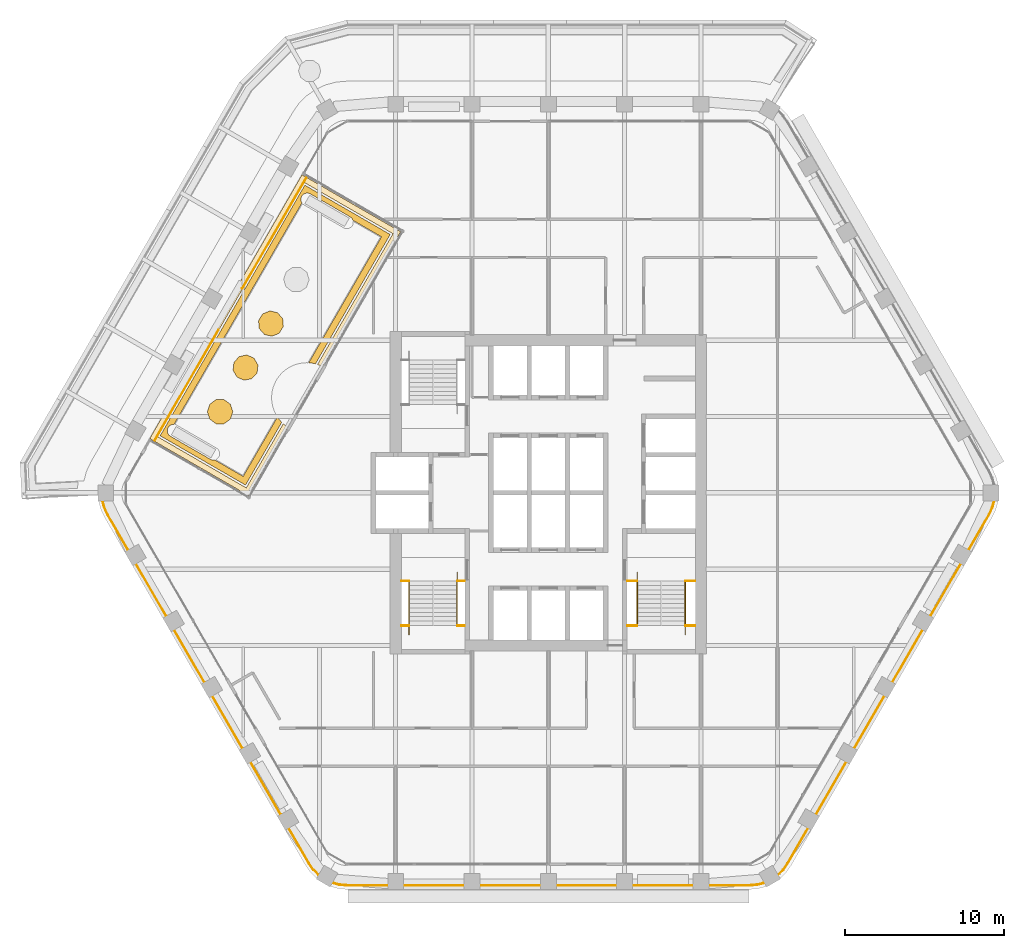
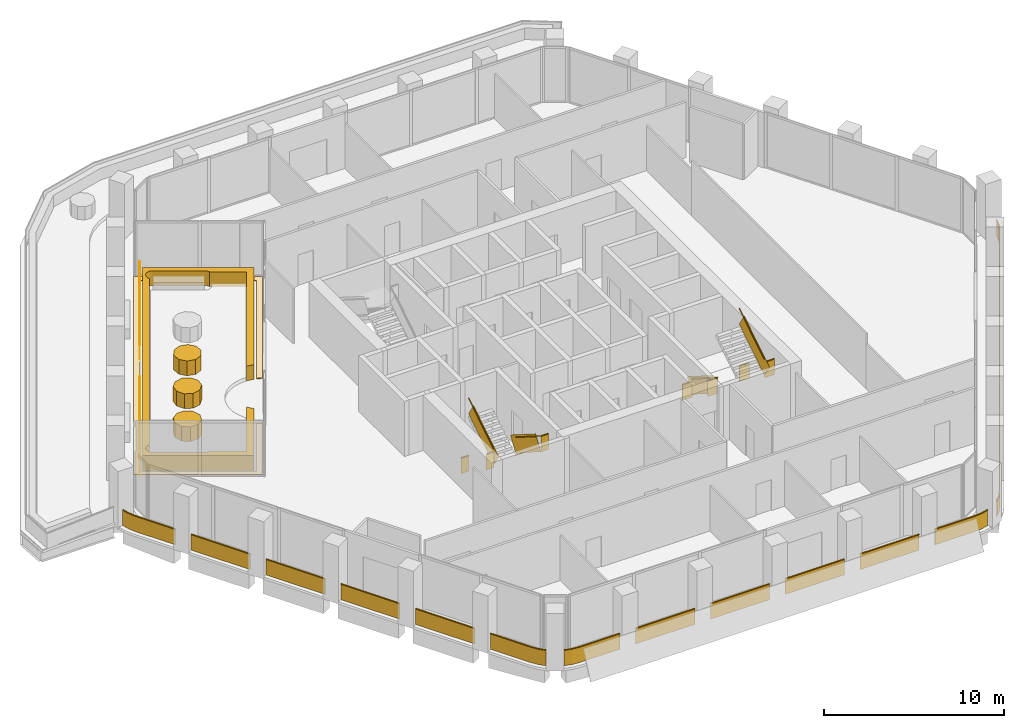
# One storey, part 17 of 18: 8 railings, 5 coverings.
"""IFC4 building model written with IfcOpenShell, lengths in metres."""

import ifcopenshell
import ifcopenshell.guid

model = None  # the IFC model being written
_history = None  # IfcOwnerHistory: only IFC2X3 demands one
_inside = {}  # id of a spatial element -> (the spatial element, [elements in it])
_under = {}  # id of a project, library or spatial element -> (it, [spatial elements below it])
_declared = {}  # id of a project -> (the project, [libraries it declares])
_typed = {}  # id of a type object -> (the type object, [elements of that type])
_made_of = {}  # id of a material, layer set ... -> (it, [elements and type objects made of it])


def new_model(schema):
    """Start an empty IFC model of exactly this schema.

    Asked for "IFC4X3", IfcOpenShell would pick the latest addendum, in which some entities
    have other attributes; the version numbers below select the first issue.
    IFC2X3 requires an IfcOwnerHistory on every rooted entity: one is made here for all.
    """
    global model, _history
    if schema == "IFC4X3":
        model = ifcopenshell.file(schema_version=(4, 3, 0, 0))
    else:
        model = ifcopenshell.file(schema=schema)
    _inside.clear()
    _under.clear()
    _declared.clear()
    _typed.clear()
    _made_of.clear()
    _history = None
    if model.schema == "IFC2X3":
        org = make("IfcOrganization", Name="unknown")
        user = make(
            "IfcPersonAndOrganization",
            ThePerson=make("IfcPerson", FamilyName="unknown"),
            TheOrganization=org,
        )
        app = make(
            "IfcApplication",
            ApplicationDeveloper=org,
            Version="unknown",
            ApplicationFullName="unknown",
            ApplicationIdentifier="unknown",
        )
        _history = make(
            "IfcOwnerHistory",
            OwningUser=user,
            OwningApplication=app,
            ChangeAction="ADDED",
            CreationDate=0,
        )
    return model


def make(cls, **values):
    """One entity of the class cls with the attributes given. An attribute that is None is left unset."""
    return model.create_entity(
        cls, **{name: value for name, value in values.items() if value is not None}
    )


def rooted(cls, **values):
    """An entity with a GlobalId (a new one), such as an element, a storey or a relation."""
    return make(cls, GlobalId=ifcopenshell.guid.new(), OwnerHistory=_history, **values)


def si_unit(unit_type, name, prefix=None):
    """IfcSIUnit, for example si_unit("LENGTHUNIT", "METRE", prefix="MILLI")."""
    return make("IfcSIUnit", UnitType=unit_type, Prefix=prefix, Name=name)


def assignment(units):
    """IfcUnitAssignment: the units of a project."""
    return None if units is None else make("IfcUnitAssignment", Units=units)


def point(xyz):
    """IfcCartesianPoint."""
    return None if xyz is None else make("IfcCartesianPoint", Coordinates=xyz)


def direction(xyz):
    """IfcDirection."""
    return None if xyz is None else make("IfcDirection", DirectionRatios=xyz)


def frame(location, z_axis=None, x_axis=None):
    """IfcAxis2Placement3D, a coordinate frame: its origin and axes. An axis left out is left unset."""
    return make(
        "IfcAxis2Placement3D",
        Location=point(location),
        Axis=direction(z_axis),
        RefDirection=direction(x_axis),
    )


def frame_2d(location, x_axis=None):
    """IfcAxis2Placement2D, a coordinate frame in the plane: its origin and x axis."""
    return make(
        "IfcAxis2Placement2D", Location=point(location), RefDirection=direction(x_axis)
    )


def origin():
    """The frame at (0, 0, 0) with its axes left unset."""
    return frame((0.0, 0.0, 0.0))


def origin_2d():
    """The frame at (0, 0) in the plane with its x axis left unset."""
    return frame_2d((0.0, 0.0))


def place(relative_to, where):
    """IfcLocalPlacement: puts the frame where relative to a parent placement (None: the world)."""
    return make(
        "IfcLocalPlacement", PlacementRelTo=relative_to, RelativePlacement=where
    )


def context(
    kind, dimensions, precision=None, world=None, true_north=None, identifier=None
):
    """IfcGeometricRepresentationContext, for example the 3D "Model" context."""
    return make(
        "IfcGeometricRepresentationContext",
        ContextIdentifier=identifier,
        ContextType=kind,
        CoordinateSpaceDimension=dimensions,
        Precision=precision,
        WorldCoordinateSystem=world,
        TrueNorth=true_north,
    )


def subcontext(parent, identifier, kind, view, scale=None):
    """IfcGeometricRepresentationSubContext, for example "Body" below "Model"."""
    return make(
        "IfcGeometricRepresentationSubContext",
        ContextIdentifier=identifier,
        ContextType=kind,
        ParentContext=parent,
        TargetScale=scale,
        TargetView=view,
    )


def project(units=None, contexts=None):
    """IfcProject with its units and contexts."""
    return rooted(
        "IfcProject",
        Name="project",
        RepresentationContexts=contexts,
        UnitsInContext=assignment(units),
    )


def spatial(cls, under=None, at=None, **own):
    """A site, building, storey or space (cls), placed at a placement, below another one or the project."""
    s = rooted(cls, ObjectPlacement=at, **own)
    if under is not None:
        _under.setdefault(under.id(), (under, []))[1].append(s)
    return s


def polyline(points):
    """IfcPolyline through the points."""
    return make("IfcPolyline", Points=[point(p) for p in points])


def profile(cls, at=None, kind="AREA", **sizes):
    """A parametric profile (cls). Its sizes go by their IFC names, for example OverallWidth=200.0."""
    return make(cls, ProfileType=kind, Position=at, **sizes)


def rectangle(**sizes):
    """IfcRectangleProfileDef."""
    return profile("IfcRectangleProfileDef", **sizes)


def outline(outer, holes=None, kind="AREA"):
    """IfcArbitraryClosedProfileDef: a profile drawn as a closed curve; with holes, ...WithVoids."""
    if holes is None:
        return make("IfcArbitraryClosedProfileDef", ProfileType=kind, OuterCurve=outer)
    return make(
        "IfcArbitraryProfileDefWithVoids",
        ProfileType=kind,
        OuterCurve=outer,
        InnerCurves=holes,
    )


def extrude(swept, where, along, depth):
    """IfcExtrudedAreaSolid: the profile swept, set in the frame where, extruded along a direction by depth."""
    return make(
        "IfcExtrudedAreaSolid",
        SweptArea=swept,
        Position=where,
        ExtrudedDirection=direction(along),
        Depth=depth,
    )


def shape(context_of_items, identifier, shape_type, items):
    """IfcShapeRepresentation: the items that make up one representation, for example the "Body"."""
    return make(
        "IfcShapeRepresentation",
        ContextOfItems=context_of_items,
        RepresentationIdentifier=identifier,
        RepresentationType=shape_type,
        Items=items,
    )


def material(Name=None, Category=None):
    """IfcMaterial."""
    return make("IfcMaterial", Name=Name, Category=Category)


def layer(
    of_material, thickness, ventilated=None, Name=None, Category=None, Priority=None
):
    """IfcMaterialLayer: one layer of a wall or slab, of a material (None: an air gap)."""
    return make(
        "IfcMaterialLayer",
        Material=of_material,
        LayerThickness=thickness,
        IsVentilated=ventilated,
        Name=Name,
        Category=Category,
        Priority=Priority,
    )


def layer_set(layers, Name=None):
    """IfcMaterialLayerSet."""
    return make("IfcMaterialLayerSet", MaterialLayers=layers, LayerSetName=Name)


def made_of(thing, what):
    """Note that an element or type object is made of a material, layer set ...; save() writes the relation."""
    if what is not None:
        _made_of.setdefault(what.id(), (what, []))[1].append(thing)
    return thing


def type_object(cls, material=None, **own):
    """A type object (cls), such as IfcWallType, which elements share."""
    return made_of(rooted(cls, **own), material)


def element(
    cls,
    number,
    at=None,
    inside=None,
    cuts=None,
    type_object=None,
    material=None,
    context=None,
    identifier="Body",
    shape_type=None,
    held_by="IfcProductDefinitionShape",
    body=None,
    shapes=None,
    **own,
):
    """One element of the class cls, such as IfcWall. Its Tag is "e" and its number.

    at: its placement. inside: the storey or other place that contains it. cuts: it is an
    opening in that element (IfcRelVoidsElement). A single representation is given by context,
    identifier, shape_type and body (its items); several are given by shapes. held_by: the class
    of the entity that holds the representations. save() writes the other relations.
    """
    e = rooted(cls, Tag="e%d" % number, ObjectPlacement=at, **own)
    if body is not None:
        shapes = [shape(context, identifier, shape_type, body)]
    if shapes is not None:
        e.Representation = make(held_by, Representations=shapes)
    if inside is not None:
        _inside.setdefault(inside.id(), (inside, []))[1].append(e)
    if cuts is not None:
        rooted(
            "IfcRelVoidsElement", RelatingBuildingElement=cuts, RelatedOpeningElement=e
        )
    if type_object is not None:
        _typed.setdefault(type_object.id(), (type_object, []))[1].append(e)
    return made_of(e, material)


def aggregate(whole, parts):
    """IfcRelAggregates: a whole, such as a stair, and the parts it consists of."""
    return rooted("IfcRelAggregates", RelatingObject=whole, RelatedObjects=parts)


def save(model, path):
    """Write the relations noted so far, then the file.

    IfcRelAggregates (storeys below a building ...), IfcRelContainedInSpatialStructure (elements
    in a storey), IfcRelDefinesByType, IfcRelAssociatesMaterial and IfcRelDeclares: one each for
    every whole, place, type object, material and project.
    """
    for whole, parts in _under.values():
        aggregate(whole, parts)
    for where, things in _inside.values():
        rooted(
            "IfcRelContainedInSpatialStructure",
            RelatedElements=things,
            RelatingStructure=where,
        )
    for kind, things in _typed.values():
        rooted("IfcRelDefinesByType", RelatedObjects=things, RelatingType=kind)
    for what, things in _made_of.values():
        rooted("IfcRelAssociatesMaterial", RelatedObjects=things, RelatingMaterial=what)
    for by, libraries in _declared.values():
        rooted("IfcRelDeclares", RelatingContext=by, RelatedDefinitions=libraries)
    model.write(path)


model = new_model("IFC4")

# Units and contexts
model_context = context("Model", 3, precision=1e-05, world=origin(), true_north=direction((0.0, 1.0)))
body_context = subcontext(model_context, "Body", "Model", "MODEL_VIEW")
ifc_project = project(units=[si_unit("LENGTHUNIT", "METRE"), si_unit("AREAUNIT", "SQUARE_METRE"), si_unit("VOLUMEUNIT", "CUBIC_METRE"), si_unit("PLANEANGLEUNIT", "RADIAN"), si_unit("MASSUNIT", "GRAM", prefix="KILO")], contexts=[model_context])

# Site, building, storey
site_placement = place(None, origin())
site = spatial("IfcSite", under=ifc_project, at=site_placement, CompositionType="ELEMENT")
building_placement = place(site_placement, origin())
building = spatial("IfcBuilding", under=site, at=building_placement, Name="Kolab Exchange Tower", CompositionType="ELEMENT")
storey_placement = place(building_placement, frame((0.0, 0.0, 150.5)))
storey = spatial("IfcBuildingStorey", under=building, at=storey_placement, Name="L30", CompositionType="ELEMENT", Elevation=150.5)

# Coverings
ifc_material_1 = material(Name="Flowering shrub planting", Category="soil")
ifc_layer_1 = layer(ifc_material_1, 1.0)
ifc_layer_set_1 = layer_set([ifc_layer_1], Name="Flowering shrub planting")
covering_type_1 = type_object("IfcCoveringType", Name="FLOWERING SHRUB PLANTING", PredefinedType="USERDEFINED", material=ifc_layer_set_1)
covering_1_placement = place(storey_placement, frame((0.0, 0.0, 0.25)))
element("IfcCovering", 1, at=covering_1_placement, inside=storey, type_object=covering_type_1, Name="Flowering shrub", ObjectType="PLANTING", PredefinedType="USERDEFINED", context=body_context, shape_type="SweptSolid", body=[
    extrude(outline(polyline([(-19.848876953125, 5.105224609375), (-20.001708984375, 5.575439453125), (-20.401611328125, 5.8662109375), (-20.89599609375, 5.8662109375), (-21.296142578125, 5.575439453125), (-21.44873046875, 5.105224609375), (-21.296142578125, 4.635009765625), (-20.89599609375, 4.344482421875), (-20.401611328125, 4.344482421875), (-20.001708984375, 4.635009765625), (-19.848876953125, 5.105224609375)])), origin(), (0.0, 0.0, 1.0), 1.0),
])
covering_2_placement = place(storey_placement, frame((0.0, 0.0, 0.25)))
element("IfcCovering", 2, at=covering_2_placement, inside=storey, type_object=covering_type_1, Name="Flowering shrub", ObjectType="PLANTING", PredefinedType="USERDEFINED", context=body_context, shape_type="SweptSolid", body=[
    extrude(outline(polyline([(-18.2646484375, 8.035400390625), (-18.5078125, 8.4658203125), (-18.957763671875, 8.671142578125), (-19.442138671875, 8.572998046875), (-19.776611328125, 8.208740234375), (-19.832763671875, 7.717529296875), (-19.589599609375, 7.287109375), (-19.139892578125, 7.081787109375), (-18.6552734375, 7.179931640625), (-18.321044921875, 7.544189453125), (-18.2646484375, 8.035400390625)])), origin(), (0.0, 0.0, 1.0), 1.0),
])
covering_3_placement = place(storey_placement, frame((0.0, 0.0, 0.25)))
element("IfcCovering", 3, at=covering_3_placement, inside=storey, type_object=covering_type_1, Name="Flowering shrub", ObjectType="PLANTING", PredefinedType="USERDEFINED", context=body_context, shape_type="SweptSolid", body=[
    extrude(outline(polyline([(-16.7119140625, 10.959228515625), (-17.035888671875, 11.332763671875), (-17.517333984375, 11.44482421875), (-17.972900390625, 11.252197265625), (-18.22802734375, 10.828857421875), (-18.185546875, 10.336181640625), (-17.86181640625, 9.96240234375), (-17.380126953125, 9.8505859375), (-16.9248046875, 10.043212890625), (-16.669677734375, 10.466552734375), (-16.7119140625, 10.959228515625)])), origin(), (0.0, 0.0, 1.0), 1.0),
])

# Railings
ifc_material_2 = material(Name="Stainless steel 316", Category="steel")
railing_type_1 = type_object("IfcRailingType", Name="GUARD 1100", PredefinedType="GUARDRAIL", material=ifc_material_2)
railing_1_placement = place(storey_placement, frame((-9.25, -5.550048828125, 0.0)))
element("IfcRailing", 4, at=railing_1_placement, inside=storey, type_object=railing_type_1, Name="Guard ST3", PredefinedType="GUARDRAIL", context=body_context, shape_type="SweptSolid", body=[
    extrude(rectangle(XDim=0.05, YDim=0.05, at=origin_2d()), frame((0.0, 0.0, 1.0751953125), z_axis=(1.0, 0.0, 0.0), x_axis=(0.0, 1.0, 0.0)), (0.0, 0.0, 1.0), 0.489990234375),
    extrude(rectangle(XDim=0.012, YDim=1.05009765625, at=frame_2d((0.0, 0.525146484375))), frame((0.0, 0.0, 0.0), z_axis=(1.0, 0.0, 0.0), x_axis=(0.0, 1.0, 0.0)), (0.0, 0.0, 1.0), 0.489990234375),
    extrude(rectangle(XDim=0.05, YDim=0.05, at=origin_2d()), frame((3.510009765625, 0.0, 1.0751953125), z_axis=(1.0, 0.0, 0.0), x_axis=(0.0, 1.0, 0.0)), (0.0, 0.0, 1.0), 0.489990234375),
    extrude(rectangle(XDim=0.012, YDim=1.05009765625, at=frame_2d((0.0, 0.525146484375))), frame((3.510009765625, 0.0, 0.0), z_axis=(1.0, 0.0, 0.0), x_axis=(0.0, 1.0, 0.0)), (0.0, 0.0, 1.0), 0.489990234375),
    extrude(rectangle(XDim=0.05, YDim=0.05, at=origin_2d()), frame((0.0, -2.800048828125, 3.025146484375), z_axis=(1.0, 0.0, 0.0), x_axis=(0.0, 1.0, 0.0)), (0.0, 0.0, 1.0), 0.489990234375),
    extrude(rectangle(XDim=0.012, YDim=1.05009765625, at=frame_2d((0.0, 0.525146484375))), frame((0.0, -2.800048828125, 1.949951171875), z_axis=(1.0, 0.0, 0.0), x_axis=(0.0, 1.0, 0.0)), (0.0, 0.0, 1.0), 0.489990234375),
    extrude(rectangle(XDim=0.05, YDim=0.05, at=origin_2d()), frame((3.510009765625, -2.800048828125, 3.025146484375), z_axis=(1.0, 0.0, 0.0), x_axis=(0.0, 1.0, 0.0)), (0.0, 0.0, 1.0), 0.489990234375),
    extrude(rectangle(XDim=0.012, YDim=1.05009765625, at=frame_2d((0.0, 0.525146484375))), frame((3.510009765625, -2.800048828125, 1.949951171875), z_axis=(1.0, 0.0, 0.0), x_axis=(0.0, 1.0, 0.0)), (0.0, 0.0, 1.0), 0.489990234375),
])
railing_2_placement = place(storey_placement, frame((-5.739990234375, -5.550048828125, 0.17724609375)))
element("IfcRailing", 5, at=railing_2_placement, inside=storey, type_object=railing_type_1, Name="Handrail guard ST3", PredefinedType="GUARDRAIL", context=body_context, shape_type="SweptSolid", body=[
    extrude(rectangle(XDim=0.05, YDim=0.05, at=origin_2d()), frame((0.0, 0.0, 1.0751953125), z_axis=(0.0, -0.844908973607, 0.534910110503), x_axis=(1.0, 0.0, 0.0)), (0.0, 0.0, 1.0), 3.31396484375),
    extrude(rectangle(XDim=0.012, YDim=1.05009765625, at=frame_2d((0.0, 0.525146484375))), frame((0.0, 0.0, 0.0), z_axis=(0.0, -0.844908973607, 0.534910110503), x_axis=(1.0, 0.0, 0.0)), (0.0, 0.0, 1.0), 3.31396484375),
    extrude(rectangle(XDim=0.05, YDim=0.05, at=origin_2d()), frame((-3.02001953125, -2.800048828125, 3.025146484375), z_axis=(0.0, 0.844908973607, 0.534910110503), x_axis=(-1.0, 0.0, 0.0)), (0.0, 0.0, 1.0), 3.31396484375),
    extrude(rectangle(XDim=0.012, YDim=1.05009765625, at=frame_2d((0.0, 0.525146484375))), frame((-3.02001953125, -2.800048828125, 1.949951171875), z_axis=(0.0, 0.844908973607, 0.534910110503), x_axis=(-1.0, 0.0, 0.0)), (0.0, 0.0, 1.0), 3.31396484375),
])
railing_3_placement = place(storey_placement, frame((4.949951171875, -5.550048828125, 0.0)))
element("IfcRailing", 6, at=railing_3_placement, inside=storey, type_object=railing_type_1, Name="Guard ST2", PredefinedType="GUARDRAIL", context=body_context, shape_type="SweptSolid", body=[
    extrude(rectangle(XDim=0.05, YDim=0.05, at=origin_2d()), frame((0.0, 0.0, 1.0751953125), z_axis=(1.0, 0.0, 0.0), x_axis=(0.0, 1.0, 0.0)), (0.0, 0.0, 1.0), 0.64013671875),
    extrude(rectangle(XDim=0.012, YDim=1.05009765625, at=frame_2d((0.0, 0.525146484375))), frame((0.0, 0.0, 0.0), z_axis=(1.0, 0.0, 0.0), x_axis=(0.0, 1.0, 0.0)), (0.0, 0.0, 1.0), 0.64013671875),
    extrude(rectangle(XDim=0.05, YDim=0.05, at=origin_2d()), frame((3.66015625, 0.0, 1.0751953125), z_axis=(1.0, 0.0, 0.0), x_axis=(0.0, 1.0, 0.0)), (0.0, 0.0, 1.0), 0.639892578125),
    extrude(rectangle(XDim=0.012, YDim=1.05009765625, at=frame_2d((0.0, 0.525146484375))), frame((3.66015625, 0.0, 0.0), z_axis=(1.0, 0.0, 0.0), x_axis=(0.0, 1.0, 0.0)), (0.0, 0.0, 1.0), 0.639892578125),
    extrude(rectangle(XDim=0.05, YDim=0.05, at=origin_2d()), frame((0.0, -2.800048828125, 3.025146484375), z_axis=(1.0, 0.0, 0.0), x_axis=(0.0, 1.0, 0.0)), (0.0, 0.0, 1.0), 0.64013671875),
    extrude(rectangle(XDim=0.012, YDim=1.05009765625, at=frame_2d((0.0, 0.525146484375))), frame((0.0, -2.800048828125, 1.949951171875), z_axis=(1.0, 0.0, 0.0), x_axis=(0.0, 1.0, 0.0)), (0.0, 0.0, 1.0), 0.64013671875),
    extrude(rectangle(XDim=0.05, YDim=0.05, at=origin_2d()), frame((3.66015625, -2.800048828125, 3.025146484375), z_axis=(1.0, 0.0, 0.0), x_axis=(0.0, 1.0, 0.0)), (0.0, 0.0, 1.0), 0.639892578125),
    extrude(rectangle(XDim=0.012, YDim=1.05009765625, at=frame_2d((0.0, 0.525146484375))), frame((3.66015625, -2.800048828125, 1.949951171875), z_axis=(1.0, 0.0, 0.0), x_axis=(0.0, 1.0, 0.0)), (0.0, 0.0, 1.0), 0.639892578125),
])
railing_4_placement = place(storey_placement, frame((5.590087890625, -5.550048828125, 0.17724609375)))
element("IfcRailing", 7, at=railing_4_placement, inside=storey, type_object=railing_type_1, Name="Handrail guard ST2", PredefinedType="GUARDRAIL", context=body_context, shape_type="SweptSolid", body=[
    extrude(rectangle(XDim=0.05, YDim=0.05, at=origin_2d()), frame((0.0, 0.0, 1.0751953125), z_axis=(0.0, -0.844908973607, 0.534910110503), x_axis=(1.0, 0.0, 0.0)), (0.0, 0.0, 1.0), 3.31396484375),
    extrude(rectangle(XDim=0.012, YDim=1.05009765625, at=frame_2d((0.0, 0.525146484375))), frame((0.0, 0.0, 0.0), z_axis=(0.0, -0.844908973607, 0.534910110503), x_axis=(1.0, 0.0, 0.0)), (0.0, 0.0, 1.0), 3.31396484375),
    extrude(rectangle(XDim=0.05, YDim=0.05, at=origin_2d()), frame((3.02001953125, -2.800048828125, 3.025146484375), z_axis=(0.0, 0.844908973607, 0.534910110503), x_axis=(-1.0, 0.0, 0.0)), (0.0, 0.0, 1.0), 3.31396484375),
    extrude(rectangle(XDim=0.012, YDim=1.05009765625, at=frame_2d((0.0, 0.525146484375))), frame((3.02001953125, -2.800048828125, 1.949951171875), z_axis=(0.0, 0.844908973607, 0.534910110503), x_axis=(-1.0, 0.0, 0.0)), (0.0, 0.0, 1.0), 3.31396484375),
])
ifc_material_3 = material(Name="Steel S235", Category="steel")
railing_type_2 = type_object("IfcRailingType", Name="GUARD 1100 GLASS BALUSTRADE AND STEEL TOP RAIL", PredefinedType="GUARDRAIL", material=ifc_material_3)
railing_5_placement = place(storey_placement, frame((14.4501953125, -24.033447265625, 0.0)))
element("IfcRailing", 8, at=railing_5_placement, inside=storey, type_object=railing_type_2, Name="Guard", PredefinedType="GUARDRAIL", context=body_context, shape_type="SweptSolid", body=[
    extrude(rectangle(XDim=0.05, YDim=0.05, at=origin_2d()), frame((0.0, 0.0, 1.0751953125), z_axis=(0.70737286085, 0.706840601361, 0.0), x_axis=(-0.706840601361, 0.70737286085, 0.0)), (0.0, 0.0, 1.0), 0.458740234375),
    extrude(rectangle(XDim=0.012, YDim=1.05009765625, at=frame_2d((0.0, 0.525146484375))), frame((0.0, 0.0, 0.0), z_axis=(0.70737286085, 0.706840601361, 0.0), x_axis=(-0.706840601361, 0.70737286085, 0.0)), (0.0, 0.0, 1.0), 0.458740234375),
    extrude(rectangle(XDim=0.05, YDim=0.05, at=origin_2d()), frame((0.324462890625, 0.32421875, 1.0751953125), z_axis=(0.573599091554, 0.819136180478, 0.0), x_axis=(-0.819136180478, 0.573599091554, 0.0)), (0.0, 0.0, 1.0), 0.479248046875),
    extrude(rectangle(XDim=0.012, YDim=1.05009765625, at=frame_2d((0.0, 0.525146484375))), frame((0.324462890625, 0.32421875, 0.0), z_axis=(0.573599091554, 0.819136180478, 0.0), x_axis=(-0.819136180478, 0.573599091554, 0.0)), (0.0, 0.0, 1.0), 0.479248046875),
    extrude(rectangle(XDim=0.05, YDim=0.05, at=origin_2d()), frame((0.599365234375, 0.716796875, 1.0751953125), z_axis=(0.499952873616, 0.866052610505, 0.0), x_axis=(-0.866052610505, 0.499952873616, 0.0)), (0.0, 0.0, 1.0), 2.568115234375),
    extrude(rectangle(XDim=0.012, YDim=1.05009765625, at=frame_2d((0.0, 0.525146484375))), frame((0.599365234375, 0.716796875, 0.0), z_axis=(0.499952873616, 0.866052610505, 0.0), x_axis=(-0.866052610505, 0.499952873616, 0.0)), (0.0, 0.0, 1.0), 2.568115234375),
    extrude(rectangle(XDim=0.05, YDim=0.05, at=origin_2d()), frame((2.38330078125, 3.806884765625, 1.0751953125), z_axis=(0.499994975061, 0.866028304915, 0.0), x_axis=(-0.866028304915, 0.499994975061, 0.0)), (0.0, 0.0, 1.0), 3.7998046875),
    extrude(rectangle(XDim=0.012, YDim=1.05009765625, at=frame_2d((0.0, 0.525146484375))), frame((2.38330078125, 3.806884765625, 0.0), z_axis=(0.499994975061, 0.866028304915, 0.0), x_axis=(-0.866028304915, 0.499994975061, 0.0)), (0.0, 0.0, 1.0), 3.7998046875),
    extrude(rectangle(XDim=0.05, YDim=0.05, at=origin_2d()), frame((4.783203125, 7.9638671875, 1.0751953125), z_axis=(0.500043160704, 0.866000483506, 0.0), x_axis=(-0.866000483506, 0.500043160704, 0.0)), (0.0, 0.0, 1.0), 3.800048828125),
    extrude(rectangle(XDim=0.012, YDim=1.05009765625, at=frame_2d((0.0, 0.525146484375))), frame((4.783203125, 7.9638671875, 0.0), z_axis=(0.500043160704, 0.866000483506, 0.0), x_axis=(-0.866000483506, 0.500043160704, 0.0)), (0.0, 0.0, 1.0), 3.800048828125),
    extrude(rectangle(XDim=0.05, YDim=0.05, at=origin_2d()), frame((7.183349609375, 12.12060546875, 1.0751953125), z_axis=(0.499967155389, 0.866044365799, 0.0), x_axis=(-0.866044365799, 0.499967155389, 0.0)), (0.0, 0.0, 1.0), 3.800048828125),
    extrude(rectangle(XDim=0.012, YDim=1.05009765625, at=frame_2d((0.0, 0.525146484375))), frame((7.183349609375, 12.12060546875, 0.0), z_axis=(0.499967155389, 0.866044365799, 0.0), x_axis=(-0.866044365799, 0.499967155389, 0.0)), (0.0, 0.0, 1.0), 3.800048828125),
    extrude(rectangle(XDim=0.05, YDim=0.05, at=origin_2d()), frame((9.583251953125, 16.277587890625, 1.0751953125), z_axis=(0.500015340139, 0.86601654697, 0.0), x_axis=(-0.86601654697, 0.500015340139, 0.0)), (0.0, 0.0, 1.0), 3.80029296875),
    extrude(rectangle(XDim=0.012, YDim=1.05009765625, at=frame_2d((0.0, 0.525146484375))), frame((9.583251953125, 16.277587890625, 0.0), z_axis=(0.500015340139, 0.86601654697, 0.0), x_axis=(-0.86601654697, 0.500015340139, 0.0)), (0.0, 0.0, 1.0), 3.80029296875),
    extrude(rectangle(XDim=0.05, YDim=0.05, at=origin_2d()), frame((11.9833984375, 20.4345703125, 1.0751953125), z_axis=(0.499994038704, 0.866028845513, 0.0), x_axis=(-0.866028845513, 0.499994038704, 0.0)), (0.0, 0.0, 1.0), 2.56787109375),
    extrude(rectangle(XDim=0.012, YDim=1.05009765625, at=frame_2d((0.0, 0.525146484375))), frame((11.9833984375, 20.4345703125, 0.0), z_axis=(0.499994038704, 0.866028845513, 0.0), x_axis=(-0.866028845513, 0.499994038704, 0.0)), (0.0, 0.0, 1.0), 2.56787109375),
    extrude(rectangle(XDim=0.05, YDim=0.05, at=origin_2d()), frame((13.267333984375, 22.658447265625, 1.0751953125), z_axis=(0.422801802984, 0.906222177721, 0.0), x_axis=(-0.906222177721, 0.422801802984, 0.0)), (0.0, 0.0, 1.0), 0.479248046875),
    extrude(rectangle(XDim=0.012, YDim=1.05009765625, at=frame_2d((0.0, 0.525146484375))), frame((13.267333984375, 22.658447265625, 0.0), z_axis=(0.422801802984, 0.906222177721, 0.0), x_axis=(-0.906222177721, 0.422801802984, 0.0)), (0.0, 0.0, 1.0), 0.479248046875),
    extrude(rectangle(XDim=0.05, YDim=0.05, at=origin_2d()), frame((13.469970703125, 23.0927734375, 1.0751953125), z_axis=(0.25865627591, 0.965969425465, 0.0), x_axis=(-0.965969425465, 0.25865627591, 0.0)), (0.0, 0.0, 1.0), 0.458740234375),
    extrude(rectangle(XDim=0.012, YDim=1.05009765625, at=frame_2d((0.0, 0.525146484375))), frame((13.469970703125, 23.0927734375, 0.0), z_axis=(0.25865627591, 0.965969425465, 0.0), x_axis=(-0.965969425465, 0.25865627591, 0.0)), (0.0, 0.0, 1.0), 0.458740234375),
])
railing_6_placement = place(storey_placement, frame((-13.588623046875, -24.531005859375, 0.0)))
element("IfcRailing", 9, at=railing_6_placement, inside=storey, type_object=railing_type_2, Name="Guard", PredefinedType="GUARDRAIL", context=body_context, shape_type="SweptSolid", body=[
    extrude(rectangle(XDim=0.05, YDim=0.05, at=origin_2d()), frame((0.0, 0.0, 1.0751953125), z_axis=(0.965969425465, -0.25865627591, 0.0), x_axis=(0.25865627591, 0.965969425465, 0.0)), (0.0, 0.0, 1.0), 0.458740234375),
    extrude(rectangle(XDim=0.012, YDim=1.05009765625, at=frame_2d((0.0, 0.525146484375))), frame((0.0, 0.0, 0.0), z_axis=(0.965969425465, -0.25865627591, 0.0), x_axis=(0.25865627591, 0.965969425465, 0.0)), (0.0, 0.0, 1.0), 0.458740234375),
    extrude(rectangle(XDim=0.05, YDim=0.05, at=origin_2d()), frame((0.443115234375, -0.11865234375, 1.0751953125), z_axis=(0.996156034798, -0.087596542937, 0.0), x_axis=(0.087596542937, 0.996156034798, 0.0)), (0.0, 0.0, 1.0), 0.4794921875),
    extrude(rectangle(XDim=0.012, YDim=1.05009765625, at=frame_2d((0.0, 0.525146484375))), frame((0.443115234375, -0.11865234375, 0.0), z_axis=(0.996156034798, -0.087596542937, 0.0), x_axis=(0.087596542937, 0.996156034798, 0.0)), (0.0, 0.0, 1.0), 0.4794921875),
    extrude(rectangle(XDim=0.05, YDim=0.05, at=origin_2d()), frame((0.920654296875, -0.16064453125, 1.0751953125), z_axis=(1.0, 0.0, 0.0), x_axis=(0.0, 1.0, 0.0)), (0.0, 0.0, 1.0), 2.56787109375),
    extrude(rectangle(XDim=0.012, YDim=1.05009765625, at=frame_2d((0.0, 0.525146484375))), frame((0.920654296875, -0.16064453125, 0.0), z_axis=(1.0, 0.0, 0.0), x_axis=(0.0, 1.0, 0.0)), (0.0, 0.0, 1.0), 2.56787109375),
    extrude(rectangle(XDim=0.05, YDim=0.05, at=origin_2d()), frame((4.488525390625, -0.16064453125, 1.0751953125), z_axis=(1.0, 0.0, 0.0), x_axis=(0.0, 1.0, 0.0)), (0.0, 0.0, 1.0), 3.800048828125),
    extrude(rectangle(XDim=0.012, YDim=1.05009765625, at=frame_2d((0.0, 0.525146484375))), frame((4.488525390625, -0.16064453125, 0.0), z_axis=(1.0, 0.0, 0.0), x_axis=(0.0, 1.0, 0.0)), (0.0, 0.0, 1.0), 3.800048828125),
    extrude(rectangle(XDim=0.05, YDim=0.05, at=origin_2d()), frame((9.28857421875, -0.16064453125, 1.0751953125), z_axis=(1.0, 0.0, 0.0), x_axis=(0.0, 1.0, 0.0)), (0.0, 0.0, 1.0), 3.800048828125),
    extrude(rectangle(XDim=0.012, YDim=1.05009765625, at=frame_2d((0.0, 0.525146484375))), frame((9.28857421875, -0.16064453125, 0.0), z_axis=(1.0, 0.0, 0.0), x_axis=(0.0, 1.0, 0.0)), (0.0, 0.0, 1.0), 3.800048828125),
    extrude(rectangle(XDim=0.05, YDim=0.05, at=origin_2d()), frame((14.088623046875, -0.16064453125, 1.0751953125), z_axis=(1.0, 0.0, 0.0), x_axis=(0.0, 1.0, 0.0)), (0.0, 0.0, 1.0), 3.800048828125),
    extrude(rectangle(XDim=0.012, YDim=1.05009765625, at=frame_2d((0.0, 0.525146484375))), frame((14.088623046875, -0.16064453125, 0.0), z_axis=(1.0, 0.0, 0.0), x_axis=(0.0, 1.0, 0.0)), (0.0, 0.0, 1.0), 3.800048828125),
    extrude(rectangle(XDim=0.05, YDim=0.05, at=origin_2d()), frame((18.888671875, -0.16064453125, 1.0751953125), z_axis=(1.0, 0.0, 0.0), x_axis=(0.0, 1.0, 0.0)), (0.0, 0.0, 1.0), 3.800048828125),
    extrude(rectangle(XDim=0.012, YDim=1.05009765625, at=frame_2d((0.0, 0.525146484375))), frame((18.888671875, -0.16064453125, 0.0), z_axis=(1.0, 0.0, 0.0), x_axis=(0.0, 1.0, 0.0)), (0.0, 0.0, 1.0), 3.800048828125),
    extrude(rectangle(XDim=0.05, YDim=0.05, at=origin_2d()), frame((23.688720703125, -0.16064453125, 1.0751953125), z_axis=(1.0, 0.0, 0.0), x_axis=(0.0, 1.0, 0.0)), (0.0, 0.0, 1.0), 2.56787109375),
    extrude(rectangle(XDim=0.012, YDim=1.05009765625, at=frame_2d((0.0, 0.525146484375))), frame((23.688720703125, -0.16064453125, 0.0), z_axis=(1.0, 0.0, 0.0), x_axis=(0.0, 1.0, 0.0)), (0.0, 0.0, 1.0), 2.56787109375),
    extrude(rectangle(XDim=0.05, YDim=0.05, at=origin_2d()), frame((26.256591796875, -0.16064453125, 1.0751953125), z_axis=(0.996156034798, 0.087596542937, 0.0), x_axis=(-0.087596542937, 0.996156034798, 0.0)), (0.0, 0.0, 1.0), 0.4794921875),
    extrude(rectangle(XDim=0.012, YDim=1.05009765625, at=frame_2d((0.0, 0.525146484375))), frame((26.256591796875, -0.16064453125, 0.0), z_axis=(0.996156034798, 0.087596542937, 0.0), x_axis=(-0.087596542937, 0.996156034798, 0.0)), (0.0, 0.0, 1.0), 0.4794921875),
    extrude(rectangle(XDim=0.05, YDim=0.05, at=origin_2d()), frame((26.734130859375, -0.11865234375, 1.0751953125), z_axis=(0.965969425465, 0.25865627591, 0.0), x_axis=(-0.25865627591, 0.965969425465, 0.0)), (0.0, 0.0, 1.0), 0.458740234375),
    extrude(rectangle(XDim=0.012, YDim=1.05009765625, at=frame_2d((0.0, 0.525146484375))), frame((26.734130859375, -0.11865234375, 0.0), z_axis=(0.965969425465, 0.25865627591, 0.0), x_axis=(-0.25865627591, 0.965969425465, 0.0)), (0.0, 0.0, 1.0), 0.458740234375),
])
railing_7_placement = place(storey_placement, frame((-28.038818359375, -0.49755859375, 0.0)))
element("IfcRailing", 10, at=railing_7_placement, inside=storey, type_object=railing_type_2, Name="Guard", PredefinedType="GUARDRAIL", context=body_context, shape_type="SweptSolid", body=[
    extrude(rectangle(XDim=0.05, YDim=0.05, at=origin_2d()), frame((0.0, 0.0, 1.0751953125), z_axis=(0.25865627591, -0.965969425465, 0.0), x_axis=(0.965969425465, 0.25865627591, 0.0)), (0.0, 0.0, 1.0), 0.458740234375),
    extrude(rectangle(XDim=0.012, YDim=1.05009765625, at=frame_2d((0.0, 0.525146484375))), frame((0.0, 0.0, 0.0), z_axis=(0.25865627591, -0.965969425465, 0.0), x_axis=(0.965969425465, 0.25865627591, 0.0)), (0.0, 0.0, 1.0), 0.458740234375),
    extrude(rectangle(XDim=0.05, YDim=0.05, at=origin_2d()), frame((0.11865234375, -0.443115234375, 1.0751953125), z_axis=(0.422801802984, -0.906222177721, 0.0), x_axis=(0.906222177721, 0.422801802984, 0.0)), (0.0, 0.0, 1.0), 0.479248046875),
    extrude(rectangle(XDim=0.012, YDim=1.05009765625, at=frame_2d((0.0, 0.525146484375))), frame((0.11865234375, -0.443115234375, 0.0), z_axis=(0.422801802984, -0.906222177721, 0.0), x_axis=(0.906222177721, 0.422801802984, 0.0)), (0.0, 0.0, 1.0), 0.479248046875),
    extrude(rectangle(XDim=0.05, YDim=0.05, at=origin_2d()), frame((0.3212890625, -0.87744140625, 1.0751953125), z_axis=(0.499994038704, -0.866028845513, 0.0), x_axis=(0.866028845513, 0.499994038704, 0.0)), (0.0, 0.0, 1.0), 2.56787109375),
    extrude(rectangle(XDim=0.012, YDim=1.05009765625, at=frame_2d((0.0, 0.525146484375))), frame((0.3212890625, -0.87744140625, 0.0), z_axis=(0.499994038704, -0.866028845513, 0.0), x_axis=(0.866028845513, 0.499994038704, 0.0)), (0.0, 0.0, 1.0), 2.56787109375),
    extrude(rectangle(XDim=0.05, YDim=0.05, at=origin_2d()), frame((2.105224609375, -3.96728515625, 1.0751953125), z_axis=(0.500015340139, -0.86601654697, 0.0), x_axis=(0.86601654697, 0.500015340139, 0.0)), (0.0, 0.0, 1.0), 3.80029296875),
    extrude(rectangle(XDim=0.012, YDim=1.05009765625, at=frame_2d((0.0, 0.525146484375))), frame((2.105224609375, -3.96728515625, 0.0), z_axis=(0.500015340139, -0.86601654697, 0.0), x_axis=(0.86601654697, 0.500015340139, 0.0)), (0.0, 0.0, 1.0), 3.80029296875),
    extrude(rectangle(XDim=0.05, YDim=0.05, at=origin_2d()), frame((4.50537109375, -8.124267578125, 1.0751953125), z_axis=(0.499967155389, -0.866044365799, 0.0), x_axis=(0.866044365799, 0.499967155389, 0.0)), (0.0, 0.0, 1.0), 3.800048828125),
    extrude(rectangle(XDim=0.012, YDim=1.05009765625, at=frame_2d((0.0, 0.525146484375))), frame((4.50537109375, -8.124267578125, 0.0), z_axis=(0.499967155389, -0.866044365799, 0.0), x_axis=(0.866044365799, 0.499967155389, 0.0)), (0.0, 0.0, 1.0), 3.800048828125),
    extrude(rectangle(XDim=0.05, YDim=0.05, at=origin_2d()), frame((6.9052734375, -12.28125, 1.0751953125), z_axis=(0.500043160704, -0.866000483506, 0.0), x_axis=(0.866000483506, 0.500043160704, 0.0)), (0.0, 0.0, 1.0), 3.800048828125),
    extrude(rectangle(XDim=0.012, YDim=1.05009765625, at=frame_2d((0.0, 0.525146484375))), frame((6.9052734375, -12.28125, 0.0), z_axis=(0.500043160704, -0.866000483506, 0.0), x_axis=(0.866000483506, 0.500043160704, 0.0)), (0.0, 0.0, 1.0), 3.800048828125),
    extrude(rectangle(XDim=0.05, YDim=0.05, at=origin_2d()), frame((9.305419921875, -16.438232421875, 1.0751953125), z_axis=(0.499994975061, -0.866028304915, 0.0), x_axis=(0.866028304915, 0.499994975061, 0.0)), (0.0, 0.0, 1.0), 3.7998046875),
    extrude(rectangle(XDim=0.012, YDim=1.05009765625, at=frame_2d((0.0, 0.525146484375))), frame((9.305419921875, -16.438232421875, 0.0), z_axis=(0.499994975061, -0.866028304915, 0.0), x_axis=(0.866028304915, 0.499994975061, 0.0)), (0.0, 0.0, 1.0), 3.7998046875),
    extrude(rectangle(XDim=0.05, YDim=0.05, at=origin_2d()), frame((11.705322265625, -20.594970703125, 1.0751953125), z_axis=(0.499952873616, -0.866052610505, 0.0), x_axis=(0.866052610505, 0.499952873616, 0.0)), (0.0, 0.0, 1.0), 2.568115234375),
    extrude(rectangle(XDim=0.012, YDim=1.05009765625, at=frame_2d((0.0, 0.525146484375))), frame((11.705322265625, -20.594970703125, 0.0), z_axis=(0.499952873616, -0.866052610505, 0.0), x_axis=(0.866052610505, 0.499952873616, 0.0)), (0.0, 0.0, 1.0), 2.568115234375),
    extrude(rectangle(XDim=0.05, YDim=0.05, at=origin_2d()), frame((12.9892578125, -22.819091796875, 1.0751953125), z_axis=(0.573599091554, -0.819136180478, 0.0), x_axis=(0.819136180478, 0.573599091554, 0.0)), (0.0, 0.0, 1.0), 0.479248046875),
    extrude(rectangle(XDim=0.012, YDim=1.05009765625, at=frame_2d((0.0, 0.525146484375))), frame((12.9892578125, -22.819091796875, 0.0), z_axis=(0.573599091554, -0.819136180478, 0.0), x_axis=(0.819136180478, 0.573599091554, 0.0)), (0.0, 0.0, 1.0), 0.479248046875),
    extrude(rectangle(XDim=0.05, YDim=0.05, at=origin_2d()), frame((13.26416015625, -23.211669921875, 1.0751953125), z_axis=(0.70737286085, -0.706840601361, 0.0), x_axis=(0.706840601361, 0.70737286085, 0.0)), (0.0, 0.0, 1.0), 0.458740234375),
    extrude(rectangle(XDim=0.012, YDim=1.05009765625, at=frame_2d((0.0, 0.525146484375))), frame((13.26416015625, -23.211669921875, 0.0), z_axis=(0.70737286085, -0.706840601361, 0.0), x_axis=(0.706840601361, 0.70737286085, 0.0)), (0.0, 0.0, 1.0), 0.458740234375),
])
railing_8_placement = place(storey_placement, frame((-24.81787109375, 3.197265625, 0.0)))
element("IfcRailing", 11, at=railing_8_placement, inside=storey, type_object=railing_type_2, Name="Terrace guard", PredefinedType="GUARDRAIL", context=body_context, shape_type="SweptSolid", body=[
    extrude(rectangle(XDim=0.05, YDim=0.05, at=origin_2d()), frame((0.0, 0.0, 1.0751953125), z_axis=(0.500000246922, 0.866025261224, 0.0), x_axis=(-0.866025261224, 0.500000246922, 0.0)), (0.0, 0.0, 1.0), 8.14013671875),
    extrude(rectangle(XDim=0.012, YDim=1.05009765625, at=frame_2d((0.0, 0.525146484375))), frame((0.0, 0.0, 0.0), z_axis=(0.500000246922, 0.866025261224, 0.0), x_axis=(-0.866025261224, 0.500000246922, 0.0)), (0.0, 0.0, 1.0), 8.14013671875),
    extrude(rectangle(XDim=0.05, YDim=0.05, at=origin_2d()), frame((9.64013671875, 16.697021484375, 1.0751953125), z_axis=(-0.500000246922, -0.866025261224, 0.0), x_axis=(0.866025261224, -0.500000246922, 0.0)), (0.0, 0.0, 1.0), 8.14013671875),
    extrude(rectangle(XDim=0.012, YDim=1.05009765625, at=frame_2d((0.0, 0.525146484375))), frame((9.64013671875, 16.697021484375, 0.0), z_axis=(-0.500000246922, -0.866025261224, 0.0), x_axis=(0.866025261224, -0.500000246922, 0.0)), (0.0, 0.0, 1.0), 8.14013671875),
])

# Coverings
ifc_material_4 = material(Name="Limestone coping", Category="masonry")
ifc_layer_2 = layer(ifc_material_4, 0.050048828125)
ifc_layer_set_2 = layer_set([ifc_layer_2], Name="Limestone coping")
covering_type_2 = type_object("IfcCoveringType", Name="TERRACE EDGE BAND LIMESTONE 50", PredefinedType="CLADDING", material=ifc_layer_set_2)
covering_4_placement = place(storey_placement, origin())
element("IfcCovering", 12, at=covering_4_placement, inside=storey, type_object=covering_type_2, Name="Terrace edge band", PredefinedType="CLADDING", context=body_context, shape_type="SweptSolid", body=[
    extrude(outline(polyline([(-15.49365234375, 20.00732421875), (-9.29296875, 16.42724609375), (-14.194580078125, 7.937255859375), (-14.364501953125, 8.017578125), (-14.520263671875, 8.0732421875), (-9.77099609375, 16.299072265625), (-15.365478515625, 19.529296875), (-24.595458984375, 3.542236328125), (-19.0009765625, 0.312255859375), (-16.67138671875, 4.347412109375), (-16.60205078125, 4.284423828125), (-16.428466796875, 4.15576171875), (-16.390869140625, 4.13330078125), (-18.872802734375, -0.165771484375), (-25.07373046875, 3.414306640625), (-15.49365234375, 20.00732421875)])), origin(), (0.0, 0.0, 1.0), 0.050048828125),
])
ifc_material_5 = material(Name="Terrace hedge planting", Category="soil")
ifc_layer_3 = layer(ifc_material_5, 1.0)
ifc_layer_set_3 = layer_set([ifc_layer_3], Name="Terrace hedge planting")
covering_type_3 = type_object("IfcCoveringType", Name="TERRACE HEDGE 1000 X 400", PredefinedType="USERDEFINED", material=ifc_layer_set_3)
covering_5_placement = place(storey_placement, origin())
element("IfcCovering", 13, at=covering_5_placement, inside=storey, type_object=covering_type_3, Name="Terrace hedge", ObjectType="PLANTING", PredefinedType="USERDEFINED", context=body_context, shape_type="SweptSolid", body=[
    extrude(outline(polyline([(-15.31787109375, 19.3515625), (-9.948486328125, 16.251708984375), (-14.64892578125, 8.110595703125), (-14.777099609375, 8.142822265625), (-14.99072265625, 8.17431640625), (-15.071533203125, 8.178466796875), (-10.4951171875, 16.105224609375), (-12.29296875, 17.143310546875), (-12.297119140625, 17.15625), (-12.312744140625, 17.1923828125), (-12.331787109375, 17.2265625), (-12.354248046875, 17.2587890625), (-12.379638671875, 17.288818359375), (-12.40771484375, 17.316162109375), (-12.4384765625, 17.340576171875), (-12.471435546875, 17.36181640625), (-14.965576171875, 18.8017578125), (-15.00048828125, 18.81982421875), (-15.037109375, 18.834228515625), (-15.07470703125, 18.844970703125), (-15.113525390625, 18.85205078125), (-15.152587890625, 18.855224609375), (-15.19189453125, 18.8544921875), (-15.230712890625, 18.85009765625), (-15.269287109375, 18.841796875), (-15.306640625, 18.829833984375), (-15.342529296875, 18.814208984375), (-15.376953125, 18.795166015625), (-15.4091796875, 18.772705078125), (-15.439208984375, 18.747314453125), (-15.46630859375, 18.71923828125), (-15.49072265625, 18.6884765625), (-15.511962890625, 18.6552734375), (-15.530029296875, 18.620361328125), (-15.54443359375, 18.583984375), (-15.55517578125, 18.546142578125), (-15.562255859375, 18.507568359375), (-15.5654296875, 18.468505859375), (-15.564697265625, 18.42919921875), (-15.560302734375, 18.39013671875), (-15.552001953125, 18.351806640625), (-15.5400390625, 18.314453125), (-15.5244140625, 18.278564453125), (-15.50537109375, 18.244140625), (-15.5, 18.236328125), (-23.543212890625, 4.30517578125), (-23.552490234375, 4.305908203125), (-23.591796875, 4.30517578125), (-23.630859375, 4.30078125), (-23.669189453125, 4.29248046875), (-23.70654296875, 4.280517578125), (-23.74267578125, 4.264892578125), (-23.77685546875, 4.245849609375), (-23.80908203125, 4.223388671875), (-23.839111328125, 4.197998046875), (-23.866455078125, 4.169921875), (-23.890869140625, 4.13916015625), (-23.912109375, 4.106201171875), (-23.929931640625, 4.0712890625), (-23.9443359375, 4.03466796875), (-23.955322265625, 3.9970703125), (-23.962158203125, 3.958251953125), (-23.96533203125, 3.919189453125), (-23.96484375, 3.8798828125), (-23.960205078125, 3.841064453125), (-23.951904296875, 3.802734375), (-23.93994140625, 3.76513671875), (-23.92431640625, 3.729248046875), (-23.9052734375, 3.69482421875), (-23.883056640625, 3.66259765625), (-23.857666015625, 3.6328125), (-23.829345703125, 3.60546875), (-23.798583984375, 3.5810546875), (-23.765625, 3.559814453125), (-21.271484375, 2.11962890625), (-21.236572265625, 2.101806640625), (-21.2001953125, 2.08740234375), (-21.162353515625, 2.07666015625), (-21.123779296875, 2.069580078125), (-21.08447265625, 2.06640625), (-21.04541015625, 2.06689453125), (-21.00634765625, 2.071533203125), (-20.992919921875, 2.074462890625), (-19.195068359375, 1.036376953125), (-17.03955078125, 4.76953125), (-17.03564453125, 4.7626953125), (-16.906982421875, 4.58935546875), (-16.769287109375, 4.4375), (-19.048583984375, 0.489990234375), (-24.41796875, 3.58984375), (-15.31787109375, 19.3515625)])), origin(), (0.0, 0.0, 1.0), 1.0),
])

save(model, "model.ifc")
